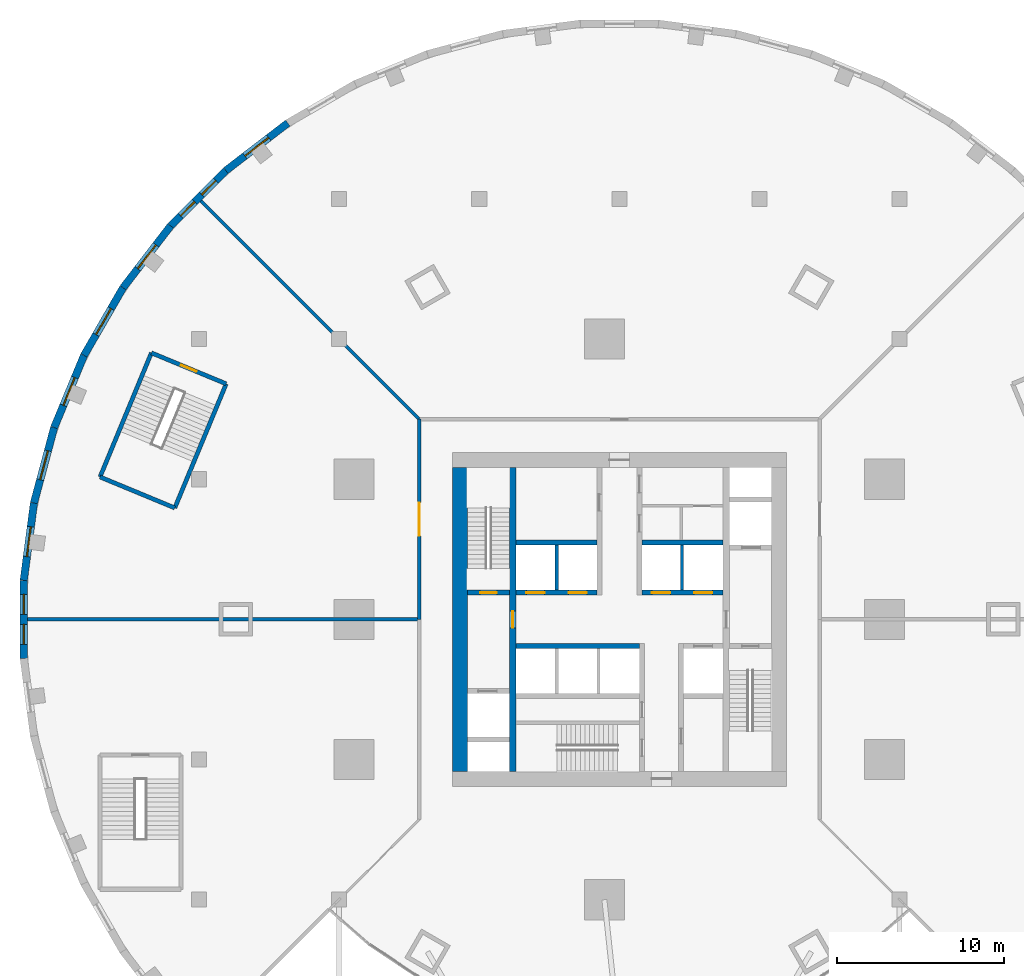
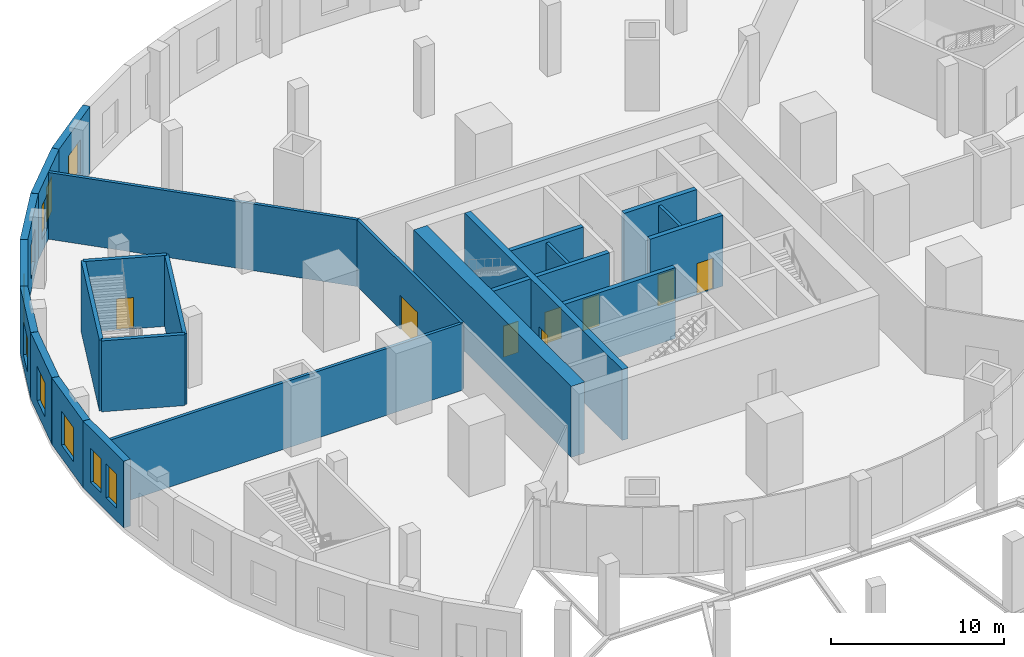
# One storey, part 5 of 11: 25 walls, 10 windows, 8 doors, 18 openings.
"""IFC4 building model written with IfcOpenShell, lengths in metres."""

from ifc_helpers import new_model, si_unit, direction, frame, frame_2d, origin, place, context, subcontext, project, spatial, rectangle, extrude, material, layer, layer_set, type_object, element, fill, save


model = new_model("IFC4")

# Units and contexts
model_context = context("Model", 3, precision=1e-05, world=origin(), true_north=direction((0.0, 1.0)))
body_context = subcontext(model_context, "Body", "Model", "MODEL_VIEW")
ifc_project = project(units=[si_unit("LENGTHUNIT", "METRE"), si_unit("AREAUNIT", "SQUARE_METRE"), si_unit("VOLUMEUNIT", "CUBIC_METRE"), si_unit("PLANEANGLEUNIT", "RADIAN"), si_unit("MASSUNIT", "GRAM", prefix="KILO")], contexts=[model_context])

# Site, building, storey
site_placement = place(None, origin())
site = spatial("IfcSite", under=ifc_project, at=site_placement, CompositionType="ELEMENT")
building_placement = place(site_placement, origin())
building = spatial("IfcBuilding", under=site, at=building_placement, Name="Golbaran Civic Tower", CompositionType="ELEMENT")
storey_placement = place(building_placement, frame((0.0, 0.0, 11.0)))
storey = spatial("IfcBuildingStorey", under=building, at=storey_placement, Name="L02", CompositionType="ELEMENT", Elevation=11.0)

# Wall, opening, door
ifc_material_1 = material(Name="Concrete C50/60", Category="concrete")
ifc_layer_1 = layer(ifc_material_1, 0.39990234375, Name="Concrete C50/60")
ifc_layer_set_1 = layer_set([ifc_layer_1], Name="Concrete C50/60")
wall_type_1 = type_object("IfcWallType", Name="CORE WALL CONCRETE 400", PredefinedType="SOLIDWALL", material=ifc_layer_set_1)
wall_1_placement = place(storey_placement, frame((-6.39990234375, -9.10009765625, 0.0), z_axis=(0.0, 0.0, 1.0), x_axis=(0.0, 1.0, 0.0)))
wall_1 = element("IfcWall", 1, at=wall_1_placement, inside=storey, type_object=wall_type_1, Name="Core wall IW L02", PredefinedType="SOLIDWALL", context=body_context, shape_type="SweptSolid", body=[
    extrude(rectangle(XDim=18.2001953125, YDim=0.39990234375, at=frame_2d((9.10009765625, 0.0))), origin(), (0.0, 0.0, 1.0), 5.0),
])
opening_1_placement = place(wall_1_placement, frame((8.60009765625, 0.0, 0.0)))
opening_1 = element("IfcOpeningElement", 2, at=opening_1_placement, cuts=wall_1, Name="Opening L02.FL1", PredefinedType="OPENING", context=body_context, shape_type="SweptSolid", body=[
    extrude(rectangle(XDim=1.0, YDim=2.199951171875, at=frame_2d((0.5, 1.10009765625))), frame((0.0, 0.2099609375, 0.0), z_axis=(0.0, -1.0, 0.0), x_axis=(1.0, 0.0, 0.0)), (0.0, 0.0, 1.0), 0.419921875),
])
ifc_material_2 = material(Name="Timber door set in steel frame", Category="steel")
door_type_1 = type_object("IfcDoorType", Name="STAIR DOOR 1000x2200", OperationType="SINGLE_SWING_LEFT", PredefinedType="DOOR", material=ifc_material_2)
door_1_placement = place(opening_1_placement, origin())
door_1 = element("IfcDoor", 3, at=door_1_placement, inside=storey, type_object=door_type_1, Name="Fire-fighting lobby FL1 door", OperationType="SINGLE_SWING_LEFT", OverallHeight=2.199951171875, OverallWidth=1.0, PredefinedType="DOOR", context=body_context, shape_type="SweptSolid", body=[
    extrude(rectangle(XDim=1.0, YDim=2.199951171875, at=frame_2d((0.5, 1.10009765625))), frame((0.0, 0.02490234375, 0.0), z_axis=(0.0, -1.0, 0.0), x_axis=(1.0, 0.0, 0.0)), (0.0, 0.0, 1.0), 0.050048828125),
])
fill(opening_1, door_1)

# Walls
ifc_layer_2 = layer(ifc_material_1, 0.89990234375, Name="Concrete C50/60")
ifc_layer_set_2 = layer_set([ifc_layer_2], Name="Concrete C50/60")
wall_type_2 = type_object("IfcWallType", Name="CORE WALL CONCRETE 900", PredefinedType="SOLIDWALL", material=ifc_layer_set_2)
wall_2_placement = place(storey_placement, frame((-9.550048828125, 9.10009765625, 0.0), z_axis=(0.0, 0.0, 1.0), x_axis=(0.0, -1.0, 0.0)))
element("IfcWall", 4, at=wall_2_placement, inside=storey, type_object=wall_type_2, Name="Core wall CW L02", PredefinedType="SOLIDWALL", context=body_context, shape_type="SweptSolid", body=[
    extrude(rectangle(XDim=18.2001953125, YDim=0.89990234375, at=frame_2d((9.10009765625, 0.0))), origin(), (0.0, 0.0, 1.0), 5.0),
])
ifc_material_3 = material(Name="Concrete block", Category="concrete")
ifc_layer_3 = layer(ifc_material_3, 0.199951171875, Name="Concrete block")
ifc_layer_set_3 = layer_set([ifc_layer_3], Name="Concrete block")
wall_type_3 = type_object("IfcWallType", Name="LIFT SEPARATOR WALL 200", PredefinedType="SOLIDWALL", material=ifc_layer_set_3)
for number, where, z_axis, x_axis, name in (
    (5, (-3.75, 1.75, 0.0), (0.0, 0.0, 1.0), (0.0, 1.0, 0.0), "Core partition SNW L02"),
    (6, (3.75, 1.75, 0.0), (0.0, 0.0, 1.0), (0.0, 1.0, 0.0), "Core partition SNE L02"),
):
    element("IfcWall", number, at=place(storey_placement, frame(where, z_axis=z_axis, x_axis=x_axis)), inside=storey, type_object=wall_type_3, Name=name, PredefinedType="SOLIDWALL", context=body_context, shape_type="SweptSolid", body=[
        extrude(rectangle(XDim=2.699951171875, YDim=0.199951171875, at=frame_2d((1.35009765625, 0.0))), origin(), (0.0, 0.0, 1.0), 4.75),
    ])
ifc_material_4 = material(Name="Concrete block, plastered", Category="concrete")
ifc_layer_4 = layer(ifc_material_4, 0.199951171875, Name="Concrete block, plastered")
ifc_layer_set_4 = layer_set([ifc_layer_4], Name="Concrete block, plastered")
wall_type_4 = type_object("IfcWallType", Name="PODIUM PARTITION 200", PredefinedType="PARTITIONING", material=ifc_layer_set_4)
wall_3_placement = place(storey_placement, frame((-35.52001953125, 0.0, 0.0), z_axis=(0.0, 0.0, 1.0), x_axis=(1.0, 0.0, 0.0)))
element("IfcWall", 7, at=wall_3_placement, inside=storey, type_object=wall_type_4, Name="Podium partition L02", PredefinedType="PARTITIONING", context=body_context, shape_type="SweptSolid", body=[
    extrude(rectangle(XDim=23.52001953125, YDim=0.199951171875, at=frame_2d((11.760009765625, 0.0))), origin(), (0.0, 0.0, 1.0), 4.699951171875),
])
wall_4_placement = place(storey_placement, frame((-25.1201171875, 25.1201171875, 0.0), z_axis=(0.0, 0.0, 1.0), x_axis=(0.707106781187, -0.707106781187, 0.0)))
element("IfcWall", 8, at=wall_4_placement, inside=storey, type_object=wall_type_4, Name="Podium partition L02", PredefinedType="PARTITIONING", context=body_context, shape_type="SweptSolid", body=[
    extrude(rectangle(XDim=18.5546875, YDim=0.199951171875, at=frame_2d((9.27734375, 0.0))), origin(), (0.0, 0.0, 1.0), 4.699951171875),
])

# Wall, opening, door
wall_5_placement = place(storey_placement, frame((-12.0, 12.0, 0.0), z_axis=(0.0, 0.0, 1.0), x_axis=(0.0, -1.0, 0.0)))
wall_5 = element("IfcWall", 9, at=wall_5_placement, inside=storey, type_object=wall_type_4, Name="Podium corridor wall L02", PredefinedType="PARTITIONING", context=body_context, shape_type="SweptSolid", body=[
    extrude(rectangle(XDim=12.0, YDim=0.199951171875, at=frame_2d((6.0, 0.0))), origin(), (0.0, 0.0, 1.0), 4.699951171875),
])
opening_2_placement = place(wall_5_placement, frame((5.0, 0.0, 0.0)))
opening_2 = element("IfcOpeningElement", 10, at=opening_2_placement, cuts=wall_5, Name="Opening L02.03", PredefinedType="OPENING", context=body_context, shape_type="SweptSolid", body=[
    extrude(rectangle(XDim=2.0, YDim=2.39990234375, at=frame_2d((1.0, 1.199951171875))), frame((0.0, 0.10986328125, 0.0), z_axis=(0.0, -1.0, 0.0), x_axis=(1.0, 0.0, 0.0)), (0.0, 0.0, 1.0), 0.219970703125),
])
door_type_2 = type_object("IfcDoorType", Name="PUBLIC DOUBLE DOOR 2000x2400", OperationType="DOUBLE_DOOR_SINGLE_SWING", PredefinedType="DOOR", material=ifc_material_2)
door_2_placement = place(opening_2_placement, origin())
door_2 = element("IfcDoor", 11, at=door_2_placement, inside=storey, type_object=door_type_2, Name="Training Room door", OperationType="DOUBLE_DOOR_SINGLE_SWING", OverallHeight=2.39990234375, OverallWidth=2.0, PredefinedType="DOOR", context=body_context, shape_type="SweptSolid", body=[
    extrude(rectangle(XDim=2.0, YDim=2.39990234375, at=frame_2d((1.0, 1.199951171875))), frame((0.0, 0.02490234375, 0.0), z_axis=(0.0, -1.0, 0.0), x_axis=(1.0, 0.0, 0.0)), (0.0, 0.0, 1.0), 0.050048828125),
])
fill(opening_2, door_2)

# Wall, openings, doors
ifc_layer_5 = layer(ifc_material_1, 0.300048828125, Name="Concrete C50/60")
ifc_layer_set_5 = layer_set([ifc_layer_5], Name="Concrete C50/60")
wall_type_5 = type_object("IfcWallType", Name="SHAFT WALL CONCRETE 300", PredefinedType="SOLIDWALL", material=ifc_layer_set_5)
wall_6_placement = place(storey_placement, frame((-6.199951171875, 1.60009765625, 0.0), z_axis=(0.0, 0.0, 1.0), x_axis=(1.0, 0.0, 0.0)))
wall_6 = element("IfcWall", 12, at=wall_6_placement, inside=storey, type_object=wall_type_5, Name="Core wall FNW L02", PredefinedType="SOLIDWALL", context=body_context, shape_type="SweptSolid", body=[
    extrude(rectangle(XDim=4.849853515625, YDim=0.300048828125, at=frame_2d((2.4248046875, 0.0))), origin(), (0.0, 0.0, 1.0), 5.0),
])
opening_3_placement = place(wall_6_placement, frame((0.625, 0.0, 0.0)))
opening_3 = element("IfcOpeningElement", 13, at=opening_3_placement, cuts=wall_6, Name="Opening L02.LD-Z1L", PredefinedType="OPENING", context=body_context, shape_type="SweptSolid", body=[
    extrude(rectangle(XDim=1.10009765625, YDim=2.199951171875, at=frame_2d((0.550048828125, 1.10009765625))), frame((0.0, 0.159912109375, 0.0), z_axis=(0.0, -1.0, 0.0), x_axis=(1.0, 0.0, 0.0)), (0.0, 0.0, 1.0), 0.320068359375),
])
opening_4_placement = place(wall_6_placement, frame((3.14990234375, 0.0, 0.0)))
opening_4 = element("IfcOpeningElement", 14, at=opening_4_placement, cuts=wall_6, Name="Opening L02.LD-Z2L", PredefinedType="OPENING", context=body_context, shape_type="SweptSolid", body=[
    extrude(rectangle(XDim=1.10009765625, YDim=2.199951171875, at=frame_2d((0.550048828125, 1.10009765625))), frame((0.0, 0.159912109375, 0.0), z_axis=(0.0, -1.0, 0.0), x_axis=(1.0, 0.0, 0.0)), (0.0, 0.0, 1.0), 0.320068359375),
])
ifc_material_5 = material(Name="Stainless steel", Category="steel")
door_type_3 = type_object("IfcDoorType", Name="LIFT LANDING DOOR 1100x2200", OperationType="SLIDING_TO_LEFT", PredefinedType="DOOR", material=ifc_material_5)
door_3_placement = place(opening_3_placement, origin())
door_3 = element("IfcDoor", 15, at=door_3_placement, inside=storey, type_object=door_type_3, Name="Lift landing door Z1L", OperationType="SLIDING_TO_LEFT", OverallHeight=2.199951171875, OverallWidth=1.10009765625, PredefinedType="DOOR", context=body_context, shape_type="SweptSolid", body=[
    extrude(rectangle(XDim=1.10009765625, YDim=2.199951171875, at=frame_2d((0.550048828125, 1.10009765625))), frame((0.0, 0.02490234375, 0.0), z_axis=(0.0, -1.0, 0.0), x_axis=(1.0, 0.0, 0.0)), (0.0, 0.0, 1.0), 0.050048828125),
])
fill(opening_3, door_3)
door_4_placement = place(opening_4_placement, origin())
door_4 = element("IfcDoor", 16, at=door_4_placement, inside=storey, type_object=door_type_3, Name="Lift landing door Z2L", OperationType="SLIDING_TO_LEFT", OverallHeight=2.199951171875, OverallWidth=1.10009765625, PredefinedType="DOOR", context=body_context, shape_type="SweptSolid", body=[
    extrude(rectangle(XDim=1.10009765625, YDim=2.199951171875, at=frame_2d((0.550048828125, 1.10009765625))), frame((0.0, 0.02490234375, 0.0), z_axis=(0.0, -1.0, 0.0), x_axis=(1.0, 0.0, 0.0)), (0.0, 0.0, 1.0), 0.050048828125),
])
fill(opening_4, door_4)

wall_7_placement = place(storey_placement, frame((1.35009765625, 1.60009765625, 0.0), z_axis=(0.0, 0.0, 1.0), x_axis=(1.0, 0.0, 0.0)))
wall_7 = element("IfcWall", 17, at=wall_7_placement, inside=storey, type_object=wall_type_5, Name="Core wall FNE L02", PredefinedType="SOLIDWALL", context=body_context, shape_type="SweptSolid", body=[
    extrude(rectangle(XDim=4.849853515625, YDim=0.300048828125, at=frame_2d((2.4248046875, 0.0))), origin(), (0.0, 0.0, 1.0), 5.0),
])
opening_5_placement = place(wall_7_placement, frame((0.60009765625, 0.0, 0.0)))
opening_5 = element("IfcOpeningElement", 18, at=opening_5_placement, cuts=wall_7, Name="Opening L02.LD-Z3L", PredefinedType="OPENING", context=body_context, shape_type="SweptSolid", body=[
    extrude(rectangle(XDim=1.10009765625, YDim=2.199951171875, at=frame_2d((0.550048828125, 1.10009765625))), frame((0.0, 0.159912109375, 0.0), z_axis=(0.0, -1.0, 0.0), x_axis=(1.0, 0.0, 0.0)), (0.0, 0.0, 1.0), 0.320068359375),
])
opening_6_placement = place(wall_7_placement, frame((3.125, 0.0, 0.0)))
opening_6 = element("IfcOpeningElement", 19, at=opening_6_placement, cuts=wall_7, Name="Opening L02.LD-Z4L", PredefinedType="OPENING", context=body_context, shape_type="SweptSolid", body=[
    extrude(rectangle(XDim=1.10009765625, YDim=2.199951171875, at=frame_2d((0.550048828125, 1.10009765625))), frame((0.0, 0.159912109375, 0.0), z_axis=(0.0, -1.0, 0.0), x_axis=(1.0, 0.0, 0.0)), (0.0, 0.0, 1.0), 0.320068359375),
])
door_5_placement = place(opening_5_placement, origin())
door_5 = element("IfcDoor", 20, at=door_5_placement, inside=storey, type_object=door_type_3, Name="Lift landing door Z3L", OperationType="SLIDING_TO_LEFT", OverallHeight=2.199951171875, OverallWidth=1.10009765625, PredefinedType="DOOR", context=body_context, shape_type="SweptSolid", body=[
    extrude(rectangle(XDim=1.10009765625, YDim=2.199951171875, at=frame_2d((0.550048828125, 1.10009765625))), frame((0.0, 0.02490234375, 0.0), z_axis=(0.0, -1.0, 0.0), x_axis=(1.0, 0.0, 0.0)), (0.0, 0.0, 1.0), 0.050048828125),
])
fill(opening_5, door_5)
door_6_placement = place(opening_6_placement, origin())
door_6 = element("IfcDoor", 21, at=door_6_placement, inside=storey, type_object=door_type_3, Name="Lift landing door Z4L", OperationType="SLIDING_TO_LEFT", OverallHeight=2.199951171875, OverallWidth=1.10009765625, PredefinedType="DOOR", context=body_context, shape_type="SweptSolid", body=[
    extrude(rectangle(XDim=1.10009765625, YDim=2.199951171875, at=frame_2d((0.550048828125, 1.10009765625))), frame((0.0, 0.02490234375, 0.0), z_axis=(0.0, -1.0, 0.0), x_axis=(1.0, 0.0, 0.0)), (0.0, 0.0, 1.0), 0.050048828125),
])
fill(opening_6, door_6)

# Walls
for number, where, z_axis, x_axis, name in (
    (22, (-6.199951171875, 4.60009765625, 0.0), (0.0, 0.0, 1.0), (1.0, 0.0, 0.0), "Core wall BNW L02"),
    (23, (1.35009765625, 4.60009765625, 0.0), (0.0, 0.0, 1.0), (1.0, 0.0, 0.0), "Core wall BNE L02"),
):
    element("IfcWall", number, at=place(storey_placement, frame(where, z_axis=z_axis, x_axis=x_axis)), inside=storey, type_object=wall_type_5, Name=name, PredefinedType="SOLIDWALL", context=body_context, shape_type="SweptSolid", body=[
        extrude(rectangle(XDim=4.849853515625, YDim=0.300048828125, at=frame_2d((2.4248046875, 0.0))), origin(), (0.0, 0.0, 1.0), 5.0),
    ])
wall_8_placement = place(storey_placement, frame((-6.199951171875, -1.60009765625, 0.0), z_axis=(0.0, 0.0, 1.0), x_axis=(1.0, 0.0, 0.0)))
element("IfcWall", 24, at=wall_8_placement, inside=storey, type_object=wall_type_5, Name="Core wall FSW L02", PredefinedType="SOLIDWALL", context=body_context, shape_type="SweptSolid", body=[
    extrude(rectangle(XDim=7.39990234375, YDim=0.300048828125, at=frame_2d((3.699951171875, 0.0))), origin(), (0.0, 0.0, 1.0), 5.0),
])

# Wall, opening, door
wall_9_placement = place(storey_placement, frame((-9.10009765625, 1.60009765625, 0.0), z_axis=(0.0, 0.0, 1.0), x_axis=(1.0, 0.0, 0.0)))
wall_9 = element("IfcWall", 25, at=wall_9_placement, inside=storey, type_object=wall_type_5, Name="Core wall XW1 L02", PredefinedType="SOLIDWALL", context=body_context, shape_type="SweptSolid", body=[
    extrude(rectangle(XDim=2.5, YDim=0.300048828125, at=frame_2d((1.25, 0.0))), origin(), (0.0, 0.0, 1.0), 5.0),
])
opening_7_placement = place(wall_9_placement, frame((0.75, 0.0, 0.0)))
opening_7 = element("IfcOpeningElement", 26, at=opening_7_placement, cuts=wall_9, Name="Opening L02.S1", PredefinedType="OPENING", context=body_context, shape_type="SweptSolid", body=[
    extrude(rectangle(XDim=1.0, YDim=2.199951171875, at=frame_2d((0.5, 1.10009765625))), frame((0.0, 0.159912109375, 0.0), z_axis=(0.0, -1.0, 0.0), x_axis=(1.0, 0.0, 0.0)), (0.0, 0.0, 1.0), 0.320068359375),
])
door_7_placement = place(opening_7_placement, origin())
door_7 = element("IfcDoor", 27, at=door_7_placement, inside=storey, type_object=door_type_1, Name="Stair S1 door", OperationType="SINGLE_SWING_LEFT", OverallHeight=2.199951171875, OverallWidth=1.0, PredefinedType="DOOR", context=body_context, shape_type="SweptSolid", body=[
    extrude(rectangle(XDim=1.0, YDim=2.199951171875, at=frame_2d((0.5, 1.10009765625))), frame((0.0, 0.02490234375, 0.0), z_axis=(0.0, -1.0, 0.0), x_axis=(1.0, 0.0, 0.0)), (0.0, 0.0, 1.0), 0.050048828125),
])
fill(opening_7, door_7)

ifc_layer_6 = layer(ifc_material_1, 0.25, Name="Concrete C50/60")
ifc_layer_set_6 = layer_set([ifc_layer_6], Name="Concrete C50/60")
wall_type_6 = type_object("IfcWallType", Name="STAIR ENCLOSURE WALL CONCRETE 250", PredefinedType="SOLIDWALL", material=ifc_layer_set_6)
wall_10_placement = place(storey_placement, frame((-28.046875, 15.97412109375, 0.0), z_axis=(0.0, 0.0, 1.0), x_axis=(0.923862828997, -0.382723755727, 0.0)))
wall_10 = element("IfcWall", 28, at=wall_10_placement, inside=storey, type_object=wall_type_6, Name="Stair P2 enclosure A L02", PredefinedType="SOLIDWALL", context=body_context, shape_type="SweptSolid", body=[
    extrude(rectangle(XDim=4.85009765625, YDim=0.25, at=frame_2d((2.425048828125, 0.0))), origin(), (0.0, 0.0, 1.0), 5.0),
])
opening_8_placement = place(wall_10_placement, frame((1.925048828125, 0.0, 0.0)))
opening_8 = element("IfcOpeningElement", 29, at=opening_8_placement, cuts=wall_10, Name="Opening L02.P2", PredefinedType="OPENING", context=body_context, shape_type="SweptSolid", body=[
    extrude(rectangle(XDim=1.0, YDim=2.199951171875, at=frame_2d((0.5, 1.10009765625))), frame((0.0, 0.135009765625, 0.0), z_axis=(0.0, -1.0, 0.0), x_axis=(1.0, 0.0, 0.0)), (0.0, 0.0, 1.0), 0.27001953125),
])
door_8_placement = place(opening_8_placement, origin())
door_8 = element("IfcDoor", 30, at=door_8_placement, inside=storey, type_object=door_type_1, Name="Stair P2 door", OperationType="SINGLE_SWING_LEFT", OverallHeight=2.199951171875, OverallWidth=1.0, PredefinedType="DOOR", context=body_context, shape_type="SweptSolid", body=[
    extrude(rectangle(XDim=1.0, YDim=2.199951171875, at=frame_2d((0.5, 1.10009765625))), frame((0.0, 0.02490234375, 0.0), z_axis=(0.0, -1.0, 0.0), x_axis=(1.0, 0.0, 0.0)), (0.0, 0.0, 1.0), 0.050048828125),
])
fill(opening_8, door_8)

# Walls
wall_11_placement = place(storey_placement, frame((-23.566162109375, 14.117919921875, 0.0), z_axis=(0.0, 0.0, 1.0), x_axis=(-0.382689294869, -0.923877104161, 0.0)))
element("IfcWall", 31, at=wall_11_placement, inside=storey, type_object=wall_type_6, Name="Stair P2 enclosure B L02", PredefinedType="SOLIDWALL", context=body_context, shape_type="SweptSolid", body=[
    extrude(rectangle(XDim=8.0498046875, YDim=0.25, at=frame_2d((4.02490234375, 0.0))), origin(), (0.0, 0.0, 1.0), 5.0),
])
wall_12_placement = place(storey_placement, frame((-26.646728515625, 6.680908203125, 0.0), z_axis=(0.0, 0.0, 1.0), x_axis=(-0.923880627248, 0.382680789426, 0.0)))
element("IfcWall", 32, at=wall_12_placement, inside=storey, type_object=wall_type_6, Name="Stair P2 enclosure C L02", PredefinedType="SOLIDWALL", context=body_context, shape_type="SweptSolid", body=[
    extrude(rectangle(XDim=4.849853515625, YDim=0.25, at=frame_2d((2.4248046875, 0.0))), origin(), (0.0, 0.0, 1.0), 5.0),
])
wall_13_placement = place(storey_placement, frame((-31.12744140625, 8.536865234375, 0.0), z_axis=(0.0, 0.0, 1.0), x_axis=(0.382678572144, 0.923881545666, 0.0)))
element("IfcWall", 33, at=wall_13_placement, inside=storey, type_object=wall_type_6, Name="Stair P2 enclosure D L02", PredefinedType="SOLIDWALL", context=body_context, shape_type="SweptSolid", body=[
    extrude(rectangle(XDim=8.050048828125, YDim=0.25, at=frame_2d((4.02490234375, 0.0))), origin(), (0.0, 0.0, 1.0), 5.0),
])

# Wall, opening, window
ifc_material_6 = material(Name="Terracotta brick", Category="masonry")
ifc_layer_7 = layer(ifc_material_6, 0.449951171875, Name="Terracotta brick")
ifc_layer_set_7 = layer_set([ifc_layer_7], Name="Terracotta brick")
wall_type_7 = type_object("IfcWallType", Name="TERRACOTTA BRICK FACADE WALL 450", PredefinedType="SOLIDWALL", material=ifc_layer_set_7)
wall_14_placement = place(storey_placement, frame((-19.87548828125, 29.745849609375, 0.0), z_axis=(0.0, 0.0, 1.0), x_axis=(-0.79334682721, -0.608769916927, 0.0)))
wall_14 = element("IfcWall", 34, at=wall_14_placement, inside=storey, type_object=wall_type_7, Name="Podium wall L02 facet 17", PredefinedType="SOLIDWALL", context=body_context, shape_type="SweptSolid", body=[
    extrude(rectangle(XDim=4.6796875, YDim=0.449951171875, at=frame_2d((2.33984375, 0.0))), origin(), (0.0, 0.0, 1.0), 4.699951171875),
])
opening_9_placement = place(wall_14_placement, frame((1.439697265625, 0.0, 0.89990234375)))
opening_9 = element("IfcOpeningElement", 35, at=opening_9_placement, cuts=wall_14, Name="Opening L02.W18", PredefinedType="OPENING", context=body_context, shape_type="SweptSolid", body=[
    extrude(rectangle(XDim=1.800048828125, YDim=2.39990234375, at=frame_2d((0.89990234375, 1.199951171875))), frame((0.0, 0.23486328125, 0.0), z_axis=(0.0, -1.0, 0.0), x_axis=(1.0, 0.0, 0.0)), (0.0, 0.0, 1.0), 0.469970703125),
])
ifc_material_7 = material(Name="Aluminium frame, clear glass", Category="aluminium")
window_type_1 = type_object("IfcWindowType", Name="PODIUM WINDOW 1800x2400", PartitioningType="SINGLE_PANEL", PredefinedType="WINDOW", material=ifc_material_7)
window_1_placement = place(opening_9_placement, origin())
window_1 = element("IfcWindow", 36, at=window_1_placement, inside=storey, type_object=window_type_1, Name="Podium window L02 facet 17", OverallHeight=2.39990234375, OverallWidth=1.800048828125, PartitioningType="SINGLE_PANEL", PredefinedType="WINDOW", context=body_context, shape_type="SweptSolid", body=[
    extrude(rectangle(XDim=1.800048828125, YDim=2.39990234375, at=frame_2d((0.89990234375, 1.199951171875))), frame((0.0, 0.030029296875, 0.0), z_axis=(0.0, -1.0, 0.0), x_axis=(1.0, 0.0, 0.0)), (0.0, 0.0, 1.0), 0.06005859375),
])
fill(opening_9, window_1)

# Wall, openings, windows
wall_15_placement = place(storey_placement, frame((-23.588134765625, 26.89697265625, 0.0), z_axis=(0.0, 0.0, 1.0), x_axis=(-0.707106781187, -0.707106781187, 0.0)))
wall_15 = element("IfcWall", 37, at=wall_15_placement, inside=storey, type_object=wall_type_7, Name="Podium wall L02 facet 18", PredefinedType="SOLIDWALL", context=body_context, shape_type="SweptSolid", body=[
    extrude(rectangle(XDim=4.679443359375, YDim=0.449951171875, at=frame_2d((2.33984375, 0.0))), origin(), (0.0, 0.0, 1.0), 4.699951171875),
])
opening_10_placement = place(wall_15_placement, frame((0.840087890625, 0.0, 0.89990234375)))
opening_10 = element("IfcOpeningElement", 38, at=opening_10_placement, cuts=wall_15, Name="Opening L02.W19", PredefinedType="OPENING", context=body_context, shape_type="SweptSolid", body=[
    extrude(rectangle(XDim=1.199951171875, YDim=2.39990234375, at=frame_2d((0.60009765625, 1.199951171875))), frame((0.0, 0.23486328125, 0.0), z_axis=(0.0, -1.0, 0.0), x_axis=(1.0, 0.0, 0.0)), (0.0, 0.0, 1.0), 0.469970703125),
])
opening_11_placement = place(wall_15_placement, frame((2.639892578125, 0.0, 0.89990234375)))
opening_11 = element("IfcOpeningElement", 39, at=opening_11_placement, cuts=wall_15, Name="Opening L02.W20", PredefinedType="OPENING", context=body_context, shape_type="SweptSolid", body=[
    extrude(rectangle(XDim=1.199951171875, YDim=2.39990234375, at=frame_2d((0.60009765625, 1.199951171875))), frame((0.0, 0.23486328125, 0.0), z_axis=(0.0, -1.0, 0.0), x_axis=(1.0, 0.0, 0.0)), (0.0, 0.0, 1.0), 0.469970703125),
])
window_type_2 = type_object("IfcWindowType", Name="PODIUM PAIRED WINDOW 1200x2400", PartitioningType="SINGLE_PANEL", PredefinedType="WINDOW", material=ifc_material_7)
window_2_placement = place(opening_10_placement, origin())
window_2 = element("IfcWindow", 40, at=window_2_placement, inside=storey, type_object=window_type_2, Name="Podium window L02 facet 18a", OverallHeight=2.39990234375, OverallWidth=1.199951171875, PartitioningType="SINGLE_PANEL", PredefinedType="WINDOW", context=body_context, shape_type="SweptSolid", body=[
    extrude(rectangle(XDim=1.199951171875, YDim=2.39990234375, at=frame_2d((0.60009765625, 1.199951171875))), frame((0.0, 0.030029296875, 0.0), z_axis=(0.0, -1.0, 0.0), x_axis=(1.0, 0.0, 0.0)), (0.0, 0.0, 1.0), 0.06005859375),
])
fill(opening_10, window_2)
window_3_placement = place(opening_11_placement, origin())
window_3 = element("IfcWindow", 41, at=window_3_placement, inside=storey, type_object=window_type_2, Name="Podium window L02 facet 18b", OverallHeight=2.39990234375, OverallWidth=1.199951171875, PartitioningType="SINGLE_PANEL", PredefinedType="WINDOW", context=body_context, shape_type="SweptSolid", body=[
    extrude(rectangle(XDim=1.199951171875, YDim=2.39990234375, at=frame_2d((0.60009765625, 1.199951171875))), frame((0.0, 0.030029296875, 0.0), z_axis=(0.0, -1.0, 0.0), x_axis=(1.0, 0.0, 0.0)), (0.0, 0.0, 1.0), 0.06005859375),
])
fill(opening_11, window_3)

# Wall, opening, window
wall_16_placement = place(storey_placement, frame((-26.89697265625, 23.588134765625, 0.0), z_axis=(0.0, 0.0, 1.0), x_axis=(-0.608769916927, -0.79334682721, 0.0)))
wall_16 = element("IfcWall", 42, at=wall_16_placement, inside=storey, type_object=wall_type_7, Name="Podium wall L02 facet 19", PredefinedType="SOLIDWALL", context=body_context, shape_type="SweptSolid", body=[
    extrude(rectangle(XDim=4.6796875, YDim=0.449951171875, at=frame_2d((2.33984375, 0.0))), origin(), (0.0, 0.0, 1.0), 4.699951171875),
])
opening_12_placement = place(wall_16_placement, frame((1.439697265625, 0.0, 0.89990234375)))
opening_12 = element("IfcOpeningElement", 43, at=opening_12_placement, cuts=wall_16, Name="Opening L02.W21", PredefinedType="OPENING", context=body_context, shape_type="SweptSolid", body=[
    extrude(rectangle(XDim=1.800048828125, YDim=2.39990234375, at=frame_2d((0.89990234375, 1.199951171875))), frame((0.0, 0.23486328125, 0.0), z_axis=(0.0, -1.0, 0.0), x_axis=(1.0, 0.0, 0.0)), (0.0, 0.0, 1.0), 0.469970703125),
])
window_4_placement = place(opening_12_placement, origin())
window_4 = element("IfcWindow", 44, at=window_4_placement, inside=storey, type_object=window_type_1, Name="Podium window L02 facet 19", OverallHeight=2.39990234375, OverallWidth=1.800048828125, PartitioningType="SINGLE_PANEL", PredefinedType="WINDOW", context=body_context, shape_type="SweptSolid", body=[
    extrude(rectangle(XDim=1.800048828125, YDim=2.39990234375, at=frame_2d((0.89990234375, 1.199951171875))), frame((0.0, 0.030029296875, 0.0), z_axis=(0.0, -1.0, 0.0), x_axis=(1.0, 0.0, 0.0)), (0.0, 0.0, 1.0), 0.06005859375),
])
fill(opening_12, window_4)

wall_17_placement = place(storey_placement, frame((-29.745849609375, 19.87548828125, 0.0), z_axis=(0.0, 0.0, 1.0), x_axis=(-0.500022025083, -0.866012687223, 0.0)))
wall_17 = element("IfcWall", 45, at=wall_17_placement, inside=storey, type_object=wall_type_7, Name="Podium wall L02 facet 20", PredefinedType="SOLIDWALL", context=body_context, shape_type="SweptSolid", body=[
    extrude(rectangle(XDim=4.679443359375, YDim=0.449951171875, at=frame_2d((2.33984375, 0.0))), origin(), (0.0, 0.0, 1.0), 4.699951171875),
])
opening_13_placement = place(wall_17_placement, frame((1.439697265625, 0.0, 0.89990234375)))
opening_13 = element("IfcOpeningElement", 46, at=opening_13_placement, cuts=wall_17, Name="Opening L02.W22", PredefinedType="OPENING", context=body_context, shape_type="SweptSolid", body=[
    extrude(rectangle(XDim=1.800048828125, YDim=2.39990234375, at=frame_2d((0.89990234375, 1.199951171875))), frame((0.0, 0.23486328125, 0.0), z_axis=(0.0, -1.0, 0.0), x_axis=(1.0, 0.0, 0.0)), (0.0, 0.0, 1.0), 0.469970703125),
])
window_5_placement = place(opening_13_placement, origin())
window_5 = element("IfcWindow", 47, at=window_5_placement, inside=storey, type_object=window_type_1, Name="Podium window L02 facet 20", OverallHeight=2.39990234375, OverallWidth=1.800048828125, PartitioningType="SINGLE_PANEL", PredefinedType="WINDOW", context=body_context, shape_type="SweptSolid", body=[
    extrude(rectangle(XDim=1.800048828125, YDim=2.39990234375, at=frame_2d((0.89990234375, 1.199951171875))), frame((0.0, 0.030029296875, 0.0), z_axis=(0.0, -1.0, 0.0), x_axis=(1.0, 0.0, 0.0)), (0.0, 0.0, 1.0), 0.06005859375),
])
fill(opening_13, window_5)

wall_18_placement = place(storey_placement, frame((-32.085693359375, 15.822998046875, 0.0), z_axis=(0.0, 0.0, 1.0), x_axis=(-0.382669718086, -0.923885213032, 0.0)))
wall_18 = element("IfcWall", 48, at=wall_18_placement, inside=storey, type_object=wall_type_7, Name="Podium wall L02 facet 21", PredefinedType="SOLIDWALL", context=body_context, shape_type="SweptSolid", body=[
    extrude(rectangle(XDim=4.6796875, YDim=0.449951171875, at=frame_2d((2.33984375, 0.0))), origin(), (0.0, 0.0, 1.0), 4.699951171875),
])
opening_14_placement = place(wall_18_placement, frame((1.439697265625, 0.0, 0.89990234375)))
opening_14 = element("IfcOpeningElement", 49, at=opening_14_placement, cuts=wall_18, Name="Opening L02.W23", PredefinedType="OPENING", context=body_context, shape_type="SweptSolid", body=[
    extrude(rectangle(XDim=1.800048828125, YDim=2.39990234375, at=frame_2d((0.89990234375, 1.199951171875))), frame((0.0, 0.23486328125, 0.0), z_axis=(0.0, -1.0, 0.0), x_axis=(1.0, 0.0, 0.0)), (0.0, 0.0, 1.0), 0.469970703125),
])
window_6_placement = place(opening_14_placement, origin())
window_6 = element("IfcWindow", 50, at=window_6_placement, inside=storey, type_object=window_type_1, Name="Podium window L02 facet 21", OverallHeight=2.39990234375, OverallWidth=1.800048828125, PartitioningType="SINGLE_PANEL", PredefinedType="WINDOW", context=body_context, shape_type="SweptSolid", body=[
    extrude(rectangle(XDim=1.800048828125, YDim=2.39990234375, at=frame_2d((0.89990234375, 1.199951171875))), frame((0.0, 0.030029296875, 0.0), z_axis=(0.0, -1.0, 0.0), x_axis=(1.0, 0.0, 0.0)), (0.0, 0.0, 1.0), 0.06005859375),
])
fill(opening_14, window_6)

wall_19_placement = place(storey_placement, frame((-33.87646484375, 11.49951171875, 0.0), z_axis=(0.0, 0.0, 1.0), x_axis=(-0.258815185258, -0.965926860523, 0.0)))
wall_19 = element("IfcWall", 51, at=wall_19_placement, inside=storey, type_object=wall_type_7, Name="Podium wall L02 facet 22", PredefinedType="SOLIDWALL", context=body_context, shape_type="SweptSolid", body=[
    extrude(rectangle(XDim=4.6796875, YDim=0.449951171875, at=frame_2d((2.33984375, 0.0))), origin(), (0.0, 0.0, 1.0), 4.699951171875),
])
opening_15_placement = place(wall_19_placement, frame((1.439697265625, 0.0, 0.89990234375)))
opening_15 = element("IfcOpeningElement", 52, at=opening_15_placement, cuts=wall_19, Name="Opening L02.W24", PredefinedType="OPENING", context=body_context, shape_type="SweptSolid", body=[
    extrude(rectangle(XDim=1.800048828125, YDim=2.39990234375, at=frame_2d((0.89990234375, 1.199951171875))), frame((0.0, 0.23486328125, 0.0), z_axis=(0.0, -1.0, 0.0), x_axis=(1.0, 0.0, 0.0)), (0.0, 0.0, 1.0), 0.469970703125),
])
window_7_placement = place(opening_15_placement, origin())
window_7 = element("IfcWindow", 53, at=window_7_placement, inside=storey, type_object=window_type_1, Name="Podium window L02 facet 22", OverallHeight=2.39990234375, OverallWidth=1.800048828125, PartitioningType="SINGLE_PANEL", PredefinedType="WINDOW", context=body_context, shape_type="SweptSolid", body=[
    extrude(rectangle(XDim=1.800048828125, YDim=2.39990234375, at=frame_2d((0.89990234375, 1.199951171875))), frame((0.0, 0.030029296875, 0.0), z_axis=(0.0, -1.0, 0.0), x_axis=(1.0, 0.0, 0.0)), (0.0, 0.0, 1.0), 0.06005859375),
])
fill(opening_15, window_7)

wall_20_placement = place(storey_placement, frame((-35.087646484375, 6.979248046875, 0.0), z_axis=(0.0, 0.0, 1.0), x_axis=(-0.130536838198, -0.991443459746, 0.0)))
wall_20 = element("IfcWall", 54, at=wall_20_placement, inside=storey, type_object=wall_type_7, Name="Podium wall L02 facet 23", PredefinedType="SOLIDWALL", context=body_context, shape_type="SweptSolid", body=[
    extrude(rectangle(XDim=4.679443359375, YDim=0.449951171875, at=frame_2d((2.33984375, 0.0))), origin(), (0.0, 0.0, 1.0), 4.699951171875),
])
opening_16_placement = place(wall_20_placement, frame((1.439697265625, 0.0, 0.89990234375)))
opening_16 = element("IfcOpeningElement", 55, at=opening_16_placement, cuts=wall_20, Name="Opening L02.W25", PredefinedType="OPENING", context=body_context, shape_type="SweptSolid", body=[
    extrude(rectangle(XDim=1.800048828125, YDim=2.39990234375, at=frame_2d((0.89990234375, 1.199951171875))), frame((0.0, 0.23486328125, 0.0), z_axis=(0.0, -1.0, 0.0), x_axis=(1.0, 0.0, 0.0)), (0.0, 0.0, 1.0), 0.469970703125),
])
window_8_placement = place(opening_16_placement, origin())
window_8 = element("IfcWindow", 56, at=window_8_placement, inside=storey, type_object=window_type_1, Name="Podium window L02 facet 23", OverallHeight=2.39990234375, OverallWidth=1.800048828125, PartitioningType="SINGLE_PANEL", PredefinedType="WINDOW", context=body_context, shape_type="SweptSolid", body=[
    extrude(rectangle(XDim=1.800048828125, YDim=2.39990234375, at=frame_2d((0.89990234375, 1.199951171875))), frame((0.0, 0.030029296875, 0.0), z_axis=(0.0, -1.0, 0.0), x_axis=(1.0, 0.0, 0.0)), (0.0, 0.0, 1.0), 0.06005859375),
])
fill(opening_16, window_8)

# Wall, openings, windows
wall_21_placement = place(storey_placement, frame((-35.698486328125, 2.33984375, 0.0), z_axis=(0.0, 0.0, 1.0), x_axis=(0.0, -1.0, 0.0)))
wall_21 = element("IfcWall", 57, at=wall_21_placement, inside=storey, type_object=wall_type_7, Name="Podium wall L02 facet 24", PredefinedType="SOLIDWALL", context=body_context, shape_type="SweptSolid", body=[
    extrude(rectangle(XDim=4.6796875, YDim=0.449951171875, at=frame_2d((2.33984375, 0.0))), origin(), (0.0, 0.0, 1.0), 4.699951171875),
])
opening_17_placement = place(wall_21_placement, frame((0.840087890625, 0.0, 0.89990234375)))
opening_17 = element("IfcOpeningElement", 58, at=opening_17_placement, cuts=wall_21, Name="Opening L02.W26", PredefinedType="OPENING", context=body_context, shape_type="SweptSolid", body=[
    extrude(rectangle(XDim=1.199951171875, YDim=2.39990234375, at=frame_2d((0.60009765625, 1.199951171875))), frame((0.0, 0.23486328125, 0.0), z_axis=(0.0, -1.0, 0.0), x_axis=(1.0, 0.0, 0.0)), (0.0, 0.0, 1.0), 0.469970703125),
])
opening_18_placement = place(wall_21_placement, frame((2.639892578125, 0.0, 0.89990234375)))
opening_18 = element("IfcOpeningElement", 59, at=opening_18_placement, cuts=wall_21, Name="Opening L02.W27", PredefinedType="OPENING", context=body_context, shape_type="SweptSolid", body=[
    extrude(rectangle(XDim=1.199951171875, YDim=2.39990234375, at=frame_2d((0.60009765625, 1.199951171875))), frame((0.0, 0.23486328125, 0.0), z_axis=(0.0, -1.0, 0.0), x_axis=(1.0, 0.0, 0.0)), (0.0, 0.0, 1.0), 0.469970703125),
])
window_9_placement = place(opening_17_placement, origin())
window_9 = element("IfcWindow", 60, at=window_9_placement, inside=storey, type_object=window_type_2, Name="Podium window L02 facet 24a", OverallHeight=2.39990234375, OverallWidth=1.199951171875, PartitioningType="SINGLE_PANEL", PredefinedType="WINDOW", context=body_context, shape_type="SweptSolid", body=[
    extrude(rectangle(XDim=1.199951171875, YDim=2.39990234375, at=frame_2d((0.60009765625, 1.199951171875))), frame((0.0, 0.030029296875, 0.0), z_axis=(0.0, -1.0, 0.0), x_axis=(1.0, 0.0, 0.0)), (0.0, 0.0, 1.0), 0.06005859375),
])
fill(opening_17, window_9)
window_10_placement = place(opening_18_placement, origin())
window_10 = element("IfcWindow", 61, at=window_10_placement, inside=storey, type_object=window_type_2, Name="Podium window L02 facet 24b", OverallHeight=2.39990234375, OverallWidth=1.199951171875, PartitioningType="SINGLE_PANEL", PredefinedType="WINDOW", context=body_context, shape_type="SweptSolid", body=[
    extrude(rectangle(XDim=1.199951171875, YDim=2.39990234375, at=frame_2d((0.60009765625, 1.199951171875))), frame((0.0, 0.030029296875, 0.0), z_axis=(0.0, -1.0, 0.0), x_axis=(1.0, 0.0, 0.0)), (0.0, 0.0, 1.0), 0.06005859375),
])
fill(opening_18, window_10)

save(model, "model.ifc")
